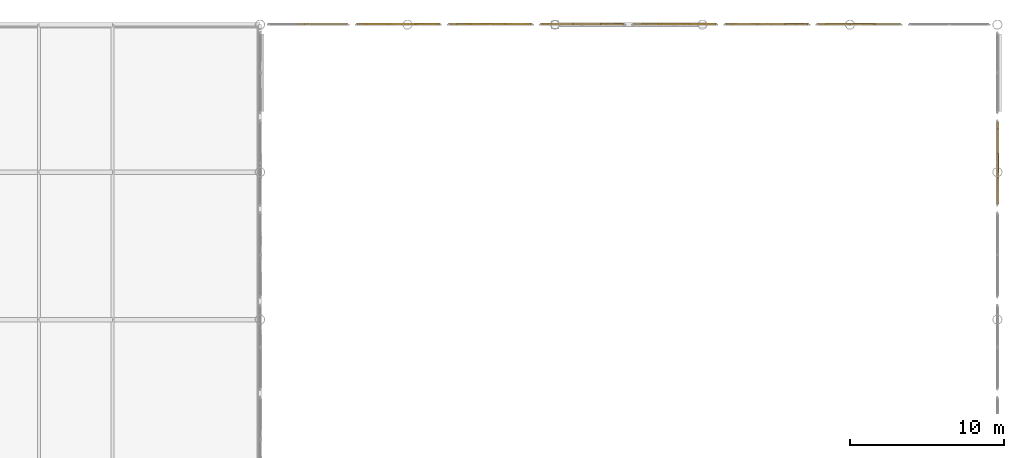
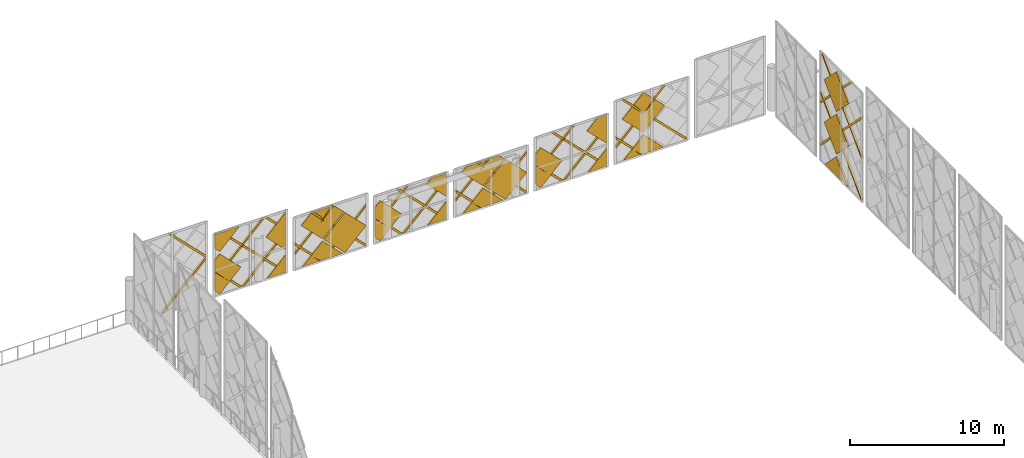
# One storey, part 52 of 53: 51 coverings.
"""IFC4 building model written with IfcOpenShell, lengths in metres."""

from ifc_helpers import new_model, si_unit, direction, frame, origin, place, context, subcontext, project, spatial, polyline, outline, extrude, material, layer, layer_set, type_object, element, save


model = new_model("IFC4")

# Units and contexts
model_context = context("Model", 3, precision=1e-05, world=origin(), true_north=direction((0.0, 1.0)))
body_context = subcontext(model_context, "Body", "Model", "MODEL_VIEW")
ifc_project = project(units=[si_unit("LENGTHUNIT", "METRE"), si_unit("AREAUNIT", "SQUARE_METRE"), si_unit("VOLUMEUNIT", "CUBIC_METRE"), si_unit("PLANEANGLEUNIT", "RADIAN"), si_unit("MASSUNIT", "GRAM", prefix="KILO")], contexts=[model_context])

# Site, building, storey
site_placement = place(None, origin())
site = spatial("IfcSite", under=ifc_project, at=site_placement, CompositionType="ELEMENT")
building_placement = place(site_placement, origin())
building = spatial("IfcBuilding", under=site, at=building_placement, Name="Zevrakil Square Congress Hotel", CompositionType="ELEMENT")
storey_placement = place(building_placement, frame((0.0, 0.0, 14.699951171875)))
storey = spatial("IfcBuildingStorey", under=building, at=storey_placement, Name="L04", CompositionType="ELEMENT", Elevation=14.699951171875)

# Coverings
ifc_material_1 = material(Name="Architectural White Fibre-C GRC", Category="concrete")
ifc_layer_1 = layer(ifc_material_1, 0.06494140625)
ifc_layer_set_1 = layer_set([ifc_layer_1], Name="Architectural White Fibre-C GRC")
covering_type_1 = type_object("IfcCoveringType", Name="COV-DIA-WHITE", PredefinedType="CLADDING", material=ifc_layer_set_1)
covering_1_placement = place(storey_placement, frame((165.694091796875, 104.409912109375, 1.330078125), z_axis=(0.999999790873, 0.0, 0.000646725815), x_axis=(0.000457304257, 0.707106707249, -0.707106707249)))
element("IfcCovering", 1, at=covering_1_placement, inside=storey, type_object=covering_type_1, Name="L04 45-degree white GRC diamond facade cassette 1355", PredefinedType="CLADDING", context=body_context, shape_type="SweptSolid", body=[
    extrude(outline(polyline([(0.0, 0.0), (2.1354765131557993, 0.0), (4.465861884739297e-07, -2.1354765131557527), (0.0, 0.0)])), origin(), (0.0, 0.0, -1.0), 0.1201171875),
])
covering_2_placement = place(storey_placement, frame((165.69189453125, 104.409912109375, 4.68994140625), z_axis=(0.999999811377, 0.0, 0.000614203339), x_axis=(0.000434274062, 0.707160967493, -0.707052457361)))
element("IfcCovering", 2, at=covering_2_placement, inside=storey, type_object=covering_type_1, Name="L04 45-degree white GRC diamond facade cassette 1357", PredefinedType="CLADDING", context=body_context, shape_type="SweptSolid", body=[
    extrude(outline(polyline([(0.0, 0.0), (2.248551551510707, 2.220446049250313e-16), (2.248379328934688, -2.248723959707921), (-0.00017198403640539262, -2.2483789048388836), (0.0, 0.0)])), origin(), (0.0, 0.0, -1.0), 0.1201171875),
])
covering_3_placement = place(storey_placement, frame((165.68994140625, 104.409912109375, 8.050048828125), z_axis=(0.999999811377, 0.0, 0.000614203339), x_axis=(0.000434307387, 0.707106714509, -0.707106714488)))
element("IfcCovering", 3, at=covering_3_placement, inside=storey, type_object=covering_type_1, Name="L04 45-degree white GRC diamond facade cassette 1359", PredefinedType="CLADDING", context=body_context, shape_type="SweptSolid", body=[
    extrude(outline(polyline([(0.0, 0.0), (2.2487240723349844, 0.0), (2.2485518629555123, -2.248551438892285), (0.00017305757096663932, -2.248551438827165), (0.0, 0.0)])), origin(), (0.0, 0.0, -1.0), 0.1201171875),
])
covering_4_placement = place(storey_placement, frame((127.840087890625, 112.89501953125, -0.179931640625), z_axis=(0.0, 0.999999760125, 0.000692640526), x_axis=(1.0, 0.0, 0.0)))
element("IfcCovering", 4, at=covering_4_placement, inside=storey, type_object=covering_type_1, Name="L04 45-degree white GRC diamond facade cassette 1457", PredefinedType="CLADDING", context=body_context, shape_type="SweptSolid", body=[
    extrude(outline(polyline([(0.0, 0.0), (1.409912109375, 0.0), (1.409912109375, -1.4099124475784228), (0.0, 0.0)])), origin(), (0.0, 0.0, -1.0), 0.1201171875),
])
covering_5_placement = place(storey_placement, frame((124.31005859375, 112.89501953125, -0.169921875), z_axis=(-3.3643e-08, 0.999999812817, 0.000611854538), x_axis=(0.707052423992, -0.000432655961, 0.707161001849)))
element("IfcCovering", 5, at=covering_5_placement, inside=storey, type_object=covering_type_1, Name="L04 45-degree white GRC diamond facade cassette 1458", PredefinedType="CLADDING", context=body_context, shape_type="SweptSolid", body=[
    extrude(outline(polyline([(0.0, 0.0), (2.2485514454837037, -2.220446049250313e-16), (2.248724489826509, -2.2483787987223134), (1.7396282801660223, -2.2485905083050195), (-0.00013344140794085968, -0.5090962361932889), (0.0, 0.0)])), origin(), (0.0, 0.0, -1.0), 0.1201171875),
])
covering_6_placement = place(storey_placement, frame((127.760009765625, 112.89306640625, 3.10009765625), z_axis=(8.1926907e-05, 0.9999998322, 0.000573488352), x_axis=(0.707106738472, 0.000347586468, -0.707106738472)))
element("IfcCovering", 6, at=covering_6_placement, inside=storey, type_object=covering_type_1, Name="L04 45-degree white GRC diamond facade cassette 1459", PredefinedType="CLADDING", context=body_context, shape_type="SweptSolid", body=[
    extrude(outline(polyline([(0.0, 0.0), (2.107164524546562, -2.220446049250313e-16), (-3.394399104017509e-07, -2.1071646235498394), (0.0, 0.0)])), origin(), (0.0, 0.0, -1.0), 0.1201171875),
])
covering_7_placement = place(storey_placement, frame((124.31005859375, 112.892822265625, 3.18994140625), z_axis=(-3.0801726e-05, 0.999999879167, 0.000490628876), x_axis=(0.707048019129, -0.000325177536, 0.707165463597)))
element("IfcCovering", 7, at=covering_7_placement, inside=storey, type_object=covering_type_1, Name="L04 45-degree white GRC diamond facade cassette 1460", PredefinedType="CLADDING", context=body_context, shape_type="SweptSolid", body=[
    extrude(outline(polyline([(0.0, 0.0), (2.0790252735580004, 2.220446049250313e-16), (0.7850721604250763, -1.29416818128078), (4.2372013736691194e-05, -0.5092688535642522), (0.0, 0.0)])), origin(), (0.0, 0.0, -1.0), 0.1201171875),
])
covering_8_placement = place(storey_placement, frame((131.989990234375, 112.89404296875, 1.330078125), z_axis=(0.0, 0.999999790873, 0.000646725815), x_axis=(-0.707106707249, 0.000457304257, -0.707106707249)))
element("IfcCovering", 8, at=covering_8_placement, inside=storey, type_object=covering_type_1, Name="L04 45-degree white GRC diamond facade cassette 1466", PredefinedType="CLADDING", context=body_context, shape_type="SweptSolid", body=[
    extrude(outline(polyline([(0.0, 0.0), (2.1354765131557993, 0.0), (4.465861884739297e-07, -2.1354765131557527), (0.0, 0.0)])), origin(), (0.0, 0.0, -1.0), 0.1201171875),
])
covering_9_placement = place(storey_placement, frame((133.669921875, 112.89306640625, 3.010009765625), z_axis=(2.3579e-08, 0.999999812541, 0.0006123053), x_axis=(-0.707106714489, 0.000432981944, -0.707106715321)))
element("IfcCovering", 9, at=covering_9_placement, inside=storey, type_object=covering_type_1, Name="L04 45-degree white GRC diamond facade cassette 1467", PredefinedType="CLADDING", context=body_context, shape_type="SweptSolid", body=[
    extrude(outline(polyline([(0.0, 0.0), (2.248378805382471, -2.220446049250313e-16), (2.248551863014511, -2.248551438825186), (0.01398373565752209, -2.2485514362281265), (4.241484949929486e-07, -2.2345681273566456), (0.0, 0.0)])), origin(), (0.0, 0.0, -1.0), 0.1201171875),
])
covering_10_placement = place(storey_placement, frame((130.39990234375, 112.89306640625, 3.10009765625), z_axis=(0.0, 0.999999855709, 0.000537198242), x_axis=(0.707106744717, 0.000379856539, -0.707106715627)))
element("IfcCovering", 10, at=covering_10_placement, inside=storey, type_object=covering_type_1, Name="L04 45-degree white GRC diamond facade cassette 1468", PredefinedType="CLADDING", context=body_context, shape_type="SweptSolid", body=[
    extrude(outline(polyline([(0.0, 0.0), (2.2487239762670375, 0.0), (2.2487237443071715, -2.2487239762670255), (1.1739075182906178, -2.2487240287661034), (-1.633682773505285e-07, -1.0748162260165428), (0.0, 0.0)])), origin(), (0.0, 0.0, -1.0), 0.1201171875),
])
covering_11_placement = place(storey_placement, frame((139.840087890625, 112.89501953125, -0.179931640625), z_axis=(0.0, 0.999999760125, 0.000692640526), x_axis=(1.0, 0.0, 0.0)))
element("IfcCovering", 11, at=covering_11_placement, inside=storey, type_object=covering_type_1, Name="L04 45-degree white GRC diamond facade cassette 1473", PredefinedType="CLADDING", context=body_context, shape_type="SweptSolid", body=[
    extrude(outline(polyline([(0.0, 0.0), (1.409912109375, 0.0), (1.409912109375, -1.4099124475784228), (0.0, 0.0)])), origin(), (0.0, 0.0, -1.0), 0.1201171875),
])
covering_12_placement = place(storey_placement, frame((136.31005859375, 112.89501953125, -0.169921875), z_axis=(-3.3643e-08, 0.999999812817, 0.000611854538), x_axis=(0.707052423992, -0.000432655961, 0.707161001849)))
element("IfcCovering", 12, at=covering_12_placement, inside=storey, type_object=covering_type_1, Name="L04 45-degree white GRC diamond facade cassette 1474", PredefinedType="CLADDING", context=body_context, shape_type="SweptSolid", body=[
    extrude(outline(polyline([(0.0, 0.0), (2.2485514454837037, -2.220446049250313e-16), (2.248724489826509, -2.2483787987223134), (1.7396282801660223, -2.2485905083050195), (-0.00013344140794085968, -0.5090962361932889), (0.0, 0.0)])), origin(), (0.0, 0.0, -1.0), 0.1201171875),
])
covering_13_placement = place(storey_placement, frame((139.760009765625, 112.89306640625, 3.10009765625), z_axis=(3.1678661e-05, 0.99999984975, 0.000547262537), x_axis=(0.707106739112, 0.000364572883, -0.707106729277)))
element("IfcCovering", 13, at=covering_13_placement, inside=storey, type_object=covering_type_1, Name="L04 45-degree white GRC diamond facade cassette 1475", PredefinedType="CLADDING", context=body_context, shape_type="SweptSolid", body=[
    extrude(outline(polyline([(0.0, 0.0), (2.107164524242563, 0.0), (0.7991202991382802, -1.3080440691485413), (0.000172548013121665, -0.5090962237457202), (0.0, 0.0)])), origin(), (0.0, 0.0, -1.0), 0.1201171875),
])
covering_14_placement = place(storey_placement, frame((143.989990234375, 112.89404296875, 1.330078125), z_axis=(0.0, 0.999999790873, 0.000646725815), x_axis=(-0.707106707249, 0.000457304257, -0.707106707249)))
element("IfcCovering", 14, at=covering_14_placement, inside=storey, type_object=covering_type_1, Name="L04 45-degree white GRC diamond facade cassette 1480", PredefinedType="CLADDING", context=body_context, shape_type="SweptSolid", body=[
    extrude(outline(polyline([(0.0, 0.0), (2.1354765131557993, 0.0), (4.465861884739297e-07, -2.1354765131557527), (0.0, 0.0)])), origin(), (0.0, 0.0, -1.0), 0.1201171875),
])
covering_15_placement = place(storey_placement, frame((145.669921875, 112.89306640625, 3.010009765625), z_axis=(2.3579e-08, 0.999999812541, 0.0006123053), x_axis=(-0.707106714489, 0.000432981944, -0.707106715321)))
element("IfcCovering", 15, at=covering_15_placement, inside=storey, type_object=covering_type_1, Name="L04 45-degree white GRC diamond facade cassette 1481", PredefinedType="CLADDING", context=body_context, shape_type="SweptSolid", body=[
    extrude(outline(polyline([(0.0, 0.0), (2.248378805382471, -2.220446049250313e-16), (2.248551863014511, -2.248551438825186), (0.01398373565752209, -2.2485514362281265), (4.241484949929486e-07, -2.2345681273566456), (0.0, 0.0)])), origin(), (0.0, 0.0, -1.0), 0.1201171875),
])
covering_16_placement = place(storey_placement, frame((142.39990234375, 112.89306640625, 3.10009765625), z_axis=(0.0, 0.999999863235, 0.000523001369), x_axis=(0.707106744368, 0.000369817834, -0.707106721297)))
element("IfcCovering", 16, at=covering_16_placement, inside=storey, type_object=covering_type_1, Name="L04 45-degree white GRC diamond facade cassette 1482", PredefinedType="CLADDING", context=body_context, shape_type="SweptSolid", body=[
    extrude(outline(polyline([(0.0, 0.0), (2.248723977376149, -2.220446049250313e-16), (2.24872374319806, -2.2487239773761374), (1.7396275212856813, -2.2485513728624835), (0.00017255149728451213, -0.509096221930351), (0.0, 0.0)])), origin(), (0.0, 0.0, -1.0), 0.1201171875),
])
covering_17_placement = place(storey_placement, frame((151.840087890625, 112.89501953125, -0.179931640625), z_axis=(0.0, 0.999999760125, 0.000692640526), x_axis=(1.0, 0.0, 0.0)))
element("IfcCovering", 17, at=covering_17_placement, inside=storey, type_object=covering_type_1, Name="L04 45-degree white GRC diamond facade cassette 1487", PredefinedType="CLADDING", context=body_context, shape_type="SweptSolid", body=[
    extrude(outline(polyline([(0.0, 0.0), (1.409912109375, 0.0), (1.409912109375, -1.4099124475784228), (0.0, 0.0)])), origin(), (0.0, 0.0, -1.0), 0.1201171875),
])
covering_18_placement = place(storey_placement, frame((148.31005859375, 112.89501953125, -0.169921875), z_axis=(-3.3643e-08, 0.999999812817, 0.000611854538), x_axis=(0.707052423992, -0.000432655961, 0.707161001849)))
element("IfcCovering", 18, at=covering_18_placement, inside=storey, type_object=covering_type_1, Name="L04 45-degree white GRC diamond facade cassette 1488", PredefinedType="CLADDING", context=body_context, shape_type="SweptSolid", body=[
    extrude(outline(polyline([(0.0, 0.0), (2.2485514454837037, -2.220446049250313e-16), (2.248724489826509, -2.2483787987223134), (1.7396282801660223, -2.2485905083050195), (-0.00013344140794085968, -0.5090962361932889), (0.0, 0.0)])), origin(), (0.0, 0.0, -1.0), 0.1201171875),
])
covering_19_placement = place(storey_placement, frame((151.760009765625, 112.89306640625, 3.10009765625), z_axis=(4.3735518e-05, 0.999999844073, 0.000556724004), x_axis=(0.707106739215, 0.000362737667, -0.707106730118)))
element("IfcCovering", 19, at=covering_19_placement, inside=storey, type_object=covering_type_1, Name="L04 45-degree white GRC diamond facade cassette 1489", PredefinedType="CLADDING", context=body_context, shape_type="SweptSolid", body=[
    extrude(outline(polyline([(0.0, 0.0), (2.107164524304703, 0.0), (0.5161739387450113, -1.5909903977577224), (-1.702036734885226e-07, -1.0748162285200251), (0.0, 0.0)])), origin(), (0.0, 0.0, -1.0), 0.1201171875),
])
covering_20_placement = place(storey_placement, frame((155.989990234375, 112.89404296875, 1.330078125), z_axis=(0.0, 0.999999790873, 0.000646725815), x_axis=(-0.707106707249, 0.000457304257, -0.707106707249)))
element("IfcCovering", 20, at=covering_20_placement, inside=storey, type_object=covering_type_1, Name="L04 45-degree white GRC diamond facade cassette 1494", PredefinedType="CLADDING", context=body_context, shape_type="SweptSolid", body=[
    extrude(outline(polyline([(0.0, 0.0), (2.1354765131557993, 0.0), (4.465861884739297e-07, -2.1354765131557527), (0.0, 0.0)])), origin(), (0.0, 0.0, -1.0), 0.1201171875),
])
covering_21_placement = place(storey_placement, frame((154.39990234375, 112.89306640625, 3.10009765625), z_axis=(0.0, 0.999999852422, 0.000543282832), x_axis=(0.707106744888, 0.000384158994, -0.707106713131)))
element("IfcCovering", 21, at=covering_21_placement, inside=storey, type_object=covering_type_1, Name="L04 45-degree white GRC diamond facade cassette 1496", PredefinedType="CLADDING", context=body_context, shape_type="SweptSolid", body=[
    extrude(outline(polyline([(0.0, 0.0), (2.248723975722311, -2.220446049250313e-16), (2.2487237448518975, -2.2487239757223), (0.04246751111625979, -2.248724074824798), (-3.2561286400500933e-07, -2.206256233735616), (0.0, 0.0)])), origin(), (0.0, 0.0, -1.0), 0.1201171875),
])
ifc_material_2 = material(Name="Anodised Champagne Aluminium", Category="aluminium")
ifc_layer_2 = layer(ifc_material_2, 0.0849609375)
ifc_layer_set_2 = layer_set([ifc_layer_2], Name="Anodised Champagne Aluminium")
covering_type_2 = type_object("IfcCoveringType", Name="COV-DIAGRID-45", PredefinedType="MOLDING", material=ifc_layer_set_2)
covering_22_placement = place(storey_placement, frame((165.718017578125, 101.14990234375, 3.093994140625), z_axis=(0.99999990472, 0.000308497425, 0.000308852427), x_axis=(-0.000308852413, -9.528e-08, 0.999999952305)))
element("IfcCovering", 22, at=covering_22_placement, inside=storey, type_object=covering_type_2, Name="L04 45-degree aluminium diagrid rib 1362", PredefinedType="MOLDING", context=body_context, shape_type="SweptSolid", body=[
    extrude(outline(polyline([(0.0, 0.0), (0.21215819300613317, -2.8078904387053947e-24), (5.247070562758569, -5.034912848904865), (5.247070542520835, -5.247315182547628), (0.0, 0.0)])), origin(), (0.0, 0.0, -1.0), 0.14501953125),
])
covering_23_placement = place(storey_placement, frame((165.719970703125, 101.236083984375, -0.179931640625), z_axis=(0.999999877937, 0.000478784596, 0.000122029576), x_axis=(0.000478784592, -0.999999885383, 5.8426e-08)))
element("IfcCovering", 23, at=covering_23_placement, inside=storey, type_object=covering_type_2, Name="L04 45-degree aluminium diagrid rib 1363", PredefinedType="MOLDING", context=body_context, shape_type="SweptSolid", body=[
    extrude(outline(polyline([(0.0, 0.0), (0.08618163074708864, 0.0), (0.08618163810738114, -0.1259765615620276), (-5.213867792460008, -5.426025737525873), (-5.213867804855539, -5.213867535980521), (0.0, 0.0)])), origin(), (0.0, 0.0, -1.0), 0.14501953125),
])
covering_24_placement = place(storey_placement, frame((165.716064453125, 101.14990234375, 6.25390625), z_axis=(0.999999834662, -7.68172e-07, 0.000575043033), x_axis=(-0.000575043033, 4.42e-10, 0.999999834663)))
element("IfcCovering", 24, at=covering_24_placement, inside=storey, type_object=covering_type_2, Name="L04 45-degree aluminium diagrid rib 1366", PredefinedType="MOLDING", context=body_context, shape_type="SweptSolid", body=[
    extrude(outline(polyline([(0.0, 0.0), (0.2121581680473443, 0.0), (-5.087647325552662, -5.300048830373941), (-5.3000497745760065, -5.300048830561482), (0.0, 0.0)])), origin(), (0.0, 0.0, -1.0), 0.14501953125),
])
covering_25_placement = place(storey_placement, frame((165.71484375, 102.4228515625, 8.341064453125), z_axis=(0.999999581473, 0.000279617206, 0.000871130299), x_axis=(-0.0002796171, 0.999999960907, -2.43583e-07)))
element("IfcCovering", 25, at=covering_25_placement, inside=storey, type_object=covering_type_2, Name="L04 45-degree aluminium diagrid rib 1367", PredefinedType="MOLDING", context=body_context, shape_type="SweptSolid", body=[
    extrude(outline(polyline([(0.0, 0.0), (0.21215819483112233, 0.0), (4.027099766805976, -3.814941872835875), (4.027099750218219, -4.027100208139122), (0.0, 0.0)])), origin(), (0.0, 0.0, -1.0), 0.14501953125),
])
covering_26_placement = place(storey_placement, frame((123.25, 112.91796875, 3.093994140625), z_axis=(-0.000321233504, 0.999999896809, 0.000321233504), x_axis=(1.03191e-07, -0.000321233487, 0.999999948405)))
element("IfcCovering", 26, at=covering_26_placement, inside=storey, type_object=covering_type_2, Name="L04 45-degree aluminium diagrid rib 1451", PredefinedType="MOLDING", context=body_context, shape_type="SweptSolid", body=[
    extrude(outline(polyline([(0.0, 0.0), (0.21215819217859497, 2.8078904387053947e-24), (2.7661134239689584, -2.553955495335506), (2.766113402076148, -2.7661136875141), (0.0, 0.0)])), origin(), (0.0, 0.0, -1.0), 0.14501953125),
])
covering_27_placement = place(storey_placement, frame((123.25, 112.918212890625, 2.89404296875), z_axis=(-0.000287477056, 0.99999958606, 0.000863270454), x_axis=(-8.2643e-08, -0.000863270513, 0.999999627382)))
element("IfcCovering", 27, at=covering_27_placement, inside=storey, type_object=covering_type_2, Name="L04 45-degree aluminium diagrid rib 1454", PredefinedType="MOLDING", context=body_context, shape_type="SweptSolid", body=[
    extrude(outline(polyline([(0.0, 0.0), (0.21215833483042407, 1.3234889800848443e-23), (-3.0739746676964605, -3.286133202330571), (-3.073974685229852, -3.0739750079722734), (0.0, 0.0)])), origin(), (0.0, 0.0, -1.0), 0.14501953125),
])
covering_28_placement = place(storey_placement, frame((129.25, 112.91796875, 3.093994140625), z_axis=(-0.000334420162, 0.999999888163, 0.000334420162), x_axis=(1.11837e-07, -0.000334420143, 0.999999944082)))
element("IfcCovering", 28, at=covering_28_placement, inside=storey, type_object=covering_type_2, Name="L04 45-degree aluminium diagrid rib 1461", PredefinedType="MOLDING", context=body_context, shape_type="SweptSolid", body=[
    extrude(outline(polyline([(0.0, 0.0), (0.2121581912614477, 5.6157808774107894e-24), (1.5661621969523216, -1.3540041571184345), (1.5661621732252162, -1.5661623483798808), (0.0, 0.0)])), origin(), (0.0, 0.0, -1.0), 0.14501953125),
])
covering_29_placement = place(storey_placement, frame((129.163818359375, 112.919921875, -0.179931640625), z_axis=(-0.000181110451, 0.999999891618, 0.000428908858), x_axis=(0.9999999836, 0.000181110434, 7.768e-08)))
element("IfcCovering", 29, at=covering_29_placement, inside=storey, type_object=covering_type_2, Name="L04 45-degree aluminium diagrid rib 1462", PredefinedType="MOLDING", context=body_context, shape_type="SweptSolid", body=[
    extrude(outline(polyline([(0.0, 0.0), (0.0861816392115782, 0.0), (0.0861816489974222, -0.12597655091249796), (-4.627685625598192, -4.840088701995825), (-4.839843825243692, -4.840088701995825), (0.0, 0.0)])), origin(), (0.0, 0.0, -1.0), 0.14501953125),
])
covering_30_placement = place(storey_placement, frame((125.803955078125, 112.919921875, -0.179931640625), z_axis=(-0.0003115794, 0.99999990303, 0.000311221263), x_axis=(0.999999951459, 0.000311579385, 9.697e-08)))
element("IfcCovering", 30, at=covering_30_placement, inside=storey, type_object=covering_type_2, Name="L04 45-degree aluminium diagrid rib 1463", PredefinedType="MOLDING", context=body_context, shape_type="SweptSolid", body=[
    extrude(outline(polyline([(0.0, 0.0), (0.21215819282665782, 0.0), (-1.854003996244953, -2.0661623892209127), (-1.8540040168416378, -1.853760055757419), (0.0, 0.0)])), origin(), (0.0, 0.0, -1.0), 0.14501953125),
])
covering_31_placement = place(storey_placement, frame((129.25, 112.918212890625, 2.89404296875), z_axis=(-0.000287477056, 0.99999958606, 0.000863270454), x_axis=(-8.2643e-08, -0.000863270513, 0.999999627382)))
element("IfcCovering", 31, at=covering_31_placement, inside=storey, type_object=covering_type_2, Name="L04 45-degree aluminium diagrid rib 1464", PredefinedType="MOLDING", context=body_context, shape_type="SweptSolid", body=[
    extrude(outline(polyline([(0.0, 0.0), (0.21215833483042407, 1.3234889800848443e-23), (-3.0739746676964605, -3.286133202330571), (-3.073974685229852, -3.0739750079722734), (0.0, 0.0)])), origin(), (0.0, 0.0, -1.0), 0.14501953125),
])
covering_32_placement = place(storey_placement, frame((127.656005859375, 112.9169921875, 4.66015625), z_axis=(0.000305348139, 0.99999990687, 0.000304997164), x_axis=(-0.999999953381, 0.000305348125, 9.313e-08)))
element("IfcCovering", 32, at=covering_32_placement, inside=storey, type_object=covering_type_2, Name="L04 45-degree aluminium diagrid rib 1465", PredefinedType="MOLDING", context=body_context, shape_type="SweptSolid", body=[
    extrude(outline(polyline([(0.0, 0.0), (0.212158193234451, -2.8078904387053947e-24), (3.7060548602716223, -3.4938969920279583), (3.7060548404905242, -3.706299325898777), (0.0, 0.0)])), origin(), (0.0, 0.0, -1.0), 0.14501953125),
])
covering_33_placement = place(storey_placement, frame((135.163818359375, 112.919921875, -0.179931640625), z_axis=(-0.000180987837, 0.999999891614, 0.000428969235), x_axis=(0.999999983622, 0.000180987821, 7.7638e-08)))
element("IfcCovering", 33, at=covering_33_placement, inside=storey, type_object=covering_type_2, Name="L04 45-degree aluminium diagrid rib 1469", PredefinedType="MOLDING", context=body_context, shape_type="SweptSolid", body=[
    extrude(outline(polyline([(0.0, 0.0), (0.08618163921349134, 0.0), (0.08618164899408683, -0.12597655090923543), (-3.8276367842631966, -4.0400397380750634), (-4.040039124534407, -4.0400397380750634), (0.0, 0.0)])), origin(), (0.0, 0.0, -1.0), 0.14501953125),
])
covering_34_placement = place(storey_placement, frame((131.803955078125, 112.919921875, -0.179931640625), z_axis=(-0.0003115794, 0.99999990303, 0.000311221263), x_axis=(0.999999951459, 0.000311579385, 9.697e-08)))
element("IfcCovering", 34, at=covering_34_placement, inside=storey, type_object=covering_type_2, Name="L04 45-degree aluminium diagrid rib 1470", PredefinedType="MOLDING", context=body_context, shape_type="SweptSolid", body=[
    extrude(outline(polyline([(0.0, 0.0), (0.21215819282665782, 0.0), (-1.854003996244953, -2.0661623892209127), (-1.8540040168416378, -1.853760055757419), (0.0, 0.0)])), origin(), (0.0, 0.0, -1.0), 0.14501953125),
])
covering_35_placement = place(storey_placement, frame((135.25, 112.918212890625, 2.89404296875), z_axis=(-0.000287477056, 0.99999958606, 0.000863270454), x_axis=(-8.2643e-08, -0.000863270513, 0.999999627382)))
element("IfcCovering", 35, at=covering_35_placement, inside=storey, type_object=covering_type_2, Name="L04 45-degree aluminium diagrid rib 1471", PredefinedType="MOLDING", context=body_context, shape_type="SweptSolid", body=[
    extrude(outline(polyline([(0.0, 0.0), (0.21215833483042407, 1.3234889800848443e-23), (-3.0739746676964605, -3.286133202330571), (-3.073974685229852, -3.0739750079722734), (0.0, 0.0)])), origin(), (0.0, 0.0, -1.0), 0.14501953125),
])
covering_36_placement = place(storey_placement, frame((132.856201171875, 112.91748046875, 3.860107421875), z_axis=(0.000305170431, 0.999999906871, 0.000305170431), x_axis=(-0.999999953436, 0.000305170417, 9.3129e-08)))
element("IfcCovering", 36, at=covering_36_placement, inside=storey, type_object=covering_type_2, Name="L04 45-degree aluminium diagrid rib 1472", PredefinedType="MOLDING", context=body_context, shape_type="SweptSolid", body=[
    extrude(outline(polyline([(0.0, 0.0), (0.21240233385959167, 0.0), (2.906250135328076, -2.6938480523438493), (2.906250115547259, -2.90625038620344), (0.0, 0.0)])), origin(), (0.0, 0.0, -1.0), 0.14501953125),
])
covering_37_placement = place(storey_placement, frame((141.163818359375, 112.919921875, -0.179931640625), z_axis=(-0.000181083774, 0.99999989165, 0.000428845682), x_axis=(0.999999983604, 0.000181083757, 7.7657e-08)))
element("IfcCovering", 37, at=covering_37_placement, inside=storey, type_object=covering_type_2, Name="L04 45-degree aluminium diagrid rib 1476", PredefinedType="MOLDING", context=body_context, shape_type="SweptSolid", body=[
    extrude(outline(polyline([(0.0, 0.0), (0.08618163921199454, 1.1406045165281983e-24), (0.08618164899495591, -0.1259765509159113), (-3.4277344340260023, -3.639893185709056), (-3.639892633672527, -3.639893185709056), (0.0, 0.0)])), origin(), (0.0, 0.0, -1.0), 0.14501953125),
])
covering_38_placement = place(storey_placement, frame((137.803955078125, 112.919921875, -0.179931640625), z_axis=(-0.0003115794, 0.99999990303, 0.000311221263), x_axis=(0.999999951459, 0.000311579385, 9.697e-08)))
element("IfcCovering", 38, at=covering_38_placement, inside=storey, type_object=covering_type_2, Name="L04 45-degree aluminium diagrid rib 1477", PredefinedType="MOLDING", context=body_context, shape_type="SweptSolid", body=[
    extrude(outline(polyline([(0.0, 0.0), (0.21215819282665782, 0.0), (-1.854003996244953, -2.0661623892209127), (-1.8540040168416378, -1.853760055757419), (0.0, 0.0)])), origin(), (0.0, 0.0, -1.0), 0.14501953125),
])
covering_39_placement = place(storey_placement, frame((141.25, 112.918212890625, 2.89404296875), z_axis=(-0.000287477056, 0.99999958606, 0.000863270454), x_axis=(-8.2643e-08, -0.000863270513, 0.999999627382)))
element("IfcCovering", 39, at=covering_39_placement, inside=storey, type_object=covering_type_2, Name="L04 45-degree aluminium diagrid rib 1478", PredefinedType="MOLDING", context=body_context, shape_type="SweptSolid", body=[
    extrude(outline(polyline([(0.0, 0.0), (0.21215833483042407, 1.3234889800848443e-23), (-3.0739746676964605, -3.286133202330571), (-3.073974685229852, -3.0739750079722734), (0.0, 0.0)])), origin(), (0.0, 0.0, -1.0), 0.14501953125),
])
covering_40_placement = place(storey_placement, frame((138.4560546875, 112.917724609375, 3.4599609375), z_axis=(0.000305355897, 0.999999906865, 0.000305004913), x_axis=(-0.999999953379, 0.000305355883, 9.3135e-08)))
element("IfcCovering", 40, at=covering_40_placement, inside=storey, type_object=covering_type_2, Name="L04 45-degree aluminium diagrid rib 1479", PredefinedType="MOLDING", context=body_context, shape_type="SweptSolid", body=[
    extrude(outline(polyline([(0.0, 0.0), (0.21215819323394844, 0.0), (2.5061036324623407, -2.2937015119703363), (2.506103612680237, -2.506103845840653), (0.0, 0.0)])), origin(), (0.0, 0.0, -1.0), 0.14501953125),
])
covering_41_placement = place(storey_placement, frame((147.163818359375, 112.919921875, -0.179931640625), z_axis=(-0.000181083774, 0.99999989165, 0.000428845682), x_axis=(0.999999983604, 0.000181083757, 7.7657e-08)))
element("IfcCovering", 41, at=covering_41_placement, inside=storey, type_object=covering_type_2, Name="L04 45-degree aluminium diagrid rib 1483", PredefinedType="MOLDING", context=body_context, shape_type="SweptSolid", body=[
    extrude(outline(polyline([(0.0, 0.0), (0.08618163921199454, 1.1406045165281983e-24), (0.08618164899495591, -0.1259765509159113), (-3.4277344340260023, -3.639893185709056), (-3.639892633672527, -3.639893185709056), (0.0, 0.0)])), origin(), (0.0, 0.0, -1.0), 0.14501953125),
])
covering_42_placement = place(storey_placement, frame((143.803955078125, 112.919921875, -0.179931640625), z_axis=(-0.0003115794, 0.99999990303, 0.000311221263), x_axis=(0.999999951459, 0.000311579385, 9.697e-08)))
element("IfcCovering", 42, at=covering_42_placement, inside=storey, type_object=covering_type_2, Name="L04 45-degree aluminium diagrid rib 1484", PredefinedType="MOLDING", context=body_context, shape_type="SweptSolid", body=[
    extrude(outline(polyline([(0.0, 0.0), (0.21215819282665782, 0.0), (-1.854003996244953, -2.0661623892209127), (-1.8540040168416378, -1.853760055757419), (0.0, 0.0)])), origin(), (0.0, 0.0, -1.0), 0.14501953125),
])
covering_43_placement = place(storey_placement, frame((147.25, 112.918212890625, 2.89404296875), z_axis=(-0.000287477056, 0.99999958606, 0.000863270454), x_axis=(-8.2643e-08, -0.000863270513, 0.999999627382)))
element("IfcCovering", 43, at=covering_43_placement, inside=storey, type_object=covering_type_2, Name="L04 45-degree aluminium diagrid rib 1485", PredefinedType="MOLDING", context=body_context, shape_type="SweptSolid", body=[
    extrude(outline(polyline([(0.0, 0.0), (0.21215833483042407, 1.3234889800848443e-23), (-3.0739746676964605, -3.286133202330571), (-3.073974685229852, -3.0739750079722734), (0.0, 0.0)])), origin(), (0.0, 0.0, -1.0), 0.14501953125),
])
covering_44_placement = place(storey_placement, frame((144.4560546875, 112.917724609375, 3.4599609375), z_axis=(0.000305355897, 0.999999906865, 0.000305004913), x_axis=(-0.999999953379, 0.000305355883, 9.3135e-08)))
element("IfcCovering", 44, at=covering_44_placement, inside=storey, type_object=covering_type_2, Name="L04 45-degree aluminium diagrid rib 1486", PredefinedType="MOLDING", context=body_context, shape_type="SweptSolid", body=[
    extrude(outline(polyline([(0.0, 0.0), (0.21215819323394844, 0.0), (2.5061036324623407, -2.2937015119703363), (2.506103612680237, -2.506103845840653), (0.0, 0.0)])), origin(), (0.0, 0.0, -1.0), 0.14501953125),
])
covering_45_placement = place(storey_placement, frame((153.163818359375, 112.919921875, -0.179931640625), z_axis=(-0.000180987837, 0.999999891614, 0.000428969235), x_axis=(0.999999983622, 0.000180987821, 7.7638e-08)))
element("IfcCovering", 45, at=covering_45_placement, inside=storey, type_object=covering_type_2, Name="L04 45-degree aluminium diagrid rib 1490", PredefinedType="MOLDING", context=body_context, shape_type="SweptSolid", body=[
    extrude(outline(polyline([(0.0, 0.0), (0.08618163921349134, 0.0), (0.08618164899408683, -0.12597655090923543), (-3.8276367842631966, -4.0400397380750634), (-4.040039124534407, -4.0400397380750634), (0.0, 0.0)])), origin(), (0.0, 0.0, -1.0), 0.14501953125),
])
covering_46_placement = place(storey_placement, frame((149.803955078125, 112.919921875, -0.179931640625), z_axis=(-0.0003115794, 0.99999990303, 0.000311221263), x_axis=(0.999999951459, 0.000311579385, 9.697e-08)))
element("IfcCovering", 46, at=covering_46_placement, inside=storey, type_object=covering_type_2, Name="L04 45-degree aluminium diagrid rib 1491", PredefinedType="MOLDING", context=body_context, shape_type="SweptSolid", body=[
    extrude(outline(polyline([(0.0, 0.0), (0.21215819282665782, 0.0), (-1.854003996244953, -2.0661623892209127), (-1.8540040168416378, -1.853760055757419), (0.0, 0.0)])), origin(), (0.0, 0.0, -1.0), 0.14501953125),
])
covering_47_placement = place(storey_placement, frame((153.25, 112.918212890625, 2.89404296875), z_axis=(-0.000287477056, 0.99999958606, 0.000863270454), x_axis=(-8.2643e-08, -0.000863270513, 0.999999627382)))
element("IfcCovering", 47, at=covering_47_placement, inside=storey, type_object=covering_type_2, Name="L04 45-degree aluminium diagrid rib 1492", PredefinedType="MOLDING", context=body_context, shape_type="SweptSolid", body=[
    extrude(outline(polyline([(0.0, 0.0), (0.21215833483042407, 1.3234889800848443e-23), (-3.0739746676964605, -3.286133202330571), (-3.073974685229852, -3.0739750079722734), (0.0, 0.0)])), origin(), (0.0, 0.0, -1.0), 0.14501953125),
])
covering_48_placement = place(storey_placement, frame((150.856201171875, 112.91748046875, 3.860107421875), z_axis=(0.000305170431, 0.999999906871, 0.000305170431), x_axis=(-0.999999953436, 0.000305170417, 9.3129e-08)))
element("IfcCovering", 48, at=covering_48_placement, inside=storey, type_object=covering_type_2, Name="L04 45-degree aluminium diagrid rib 1493", PredefinedType="MOLDING", context=body_context, shape_type="SweptSolid", body=[
    extrude(outline(polyline([(0.0, 0.0), (0.21240233385959167, 0.0), (2.906250135328076, -2.6938480523438493), (2.906250115547259, -2.90625038620344), (0.0, 0.0)])), origin(), (0.0, 0.0, -1.0), 0.14501953125),
])
covering_49_placement = place(storey_placement, frame((159.163818359375, 112.919921875, -0.179931640625), z_axis=(-0.000181110451, 0.999999891618, 0.000428908858), x_axis=(0.9999999836, 0.000181110434, 7.768e-08)))
element("IfcCovering", 49, at=covering_49_placement, inside=storey, type_object=covering_type_2, Name="L04 45-degree aluminium diagrid rib 1499", PredefinedType="MOLDING", context=body_context, shape_type="SweptSolid", body=[
    extrude(outline(polyline([(0.0, 0.0), (0.0861816392115782, 0.0), (0.0861816489974222, -0.12597655091249796), (-4.627685625598192, -4.840088701995825), (-4.839843825243692, -4.840088701995825), (0.0, 0.0)])), origin(), (0.0, 0.0, -1.0), 0.14501953125),
])
covering_50_placement = place(storey_placement, frame((155.803955078125, 112.919921875, -0.179931640625), z_axis=(-0.0003115794, 0.99999990303, 0.000311221263), x_axis=(0.999999951459, 0.000311579385, 9.697e-08)))
element("IfcCovering", 50, at=covering_50_placement, inside=storey, type_object=covering_type_2, Name="L04 45-degree aluminium diagrid rib 1500", PredefinedType="MOLDING", context=body_context, shape_type="SweptSolid", body=[
    extrude(outline(polyline([(0.0, 0.0), (0.21215819282665782, 0.0), (-1.854003996244953, -2.0661623892209127), (-1.8540040168416378, -1.853760055757419), (0.0, 0.0)])), origin(), (0.0, 0.0, -1.0), 0.14501953125),
])
covering_51_placement = place(storey_placement, frame((157.656005859375, 112.9169921875, 4.66015625), z_axis=(0.000305348139, 0.99999990687, 0.000304997164), x_axis=(-0.999999953381, 0.000305348125, 9.313e-08)))
element("IfcCovering", 51, at=covering_51_placement, inside=storey, type_object=covering_type_2, Name="L04 45-degree aluminium diagrid rib 1502", PredefinedType="MOLDING", context=body_context, shape_type="SweptSolid", body=[
    extrude(outline(polyline([(0.0, 0.0), (0.212158193234451, -2.8078904387053947e-24), (3.7060548602716223, -3.4938969920279583), (3.7060548404905242, -3.706299325898777), (0.0, 0.0)])), origin(), (0.0, 0.0, -1.0), 0.14501953125),
])

save(model, "model.ifc")
